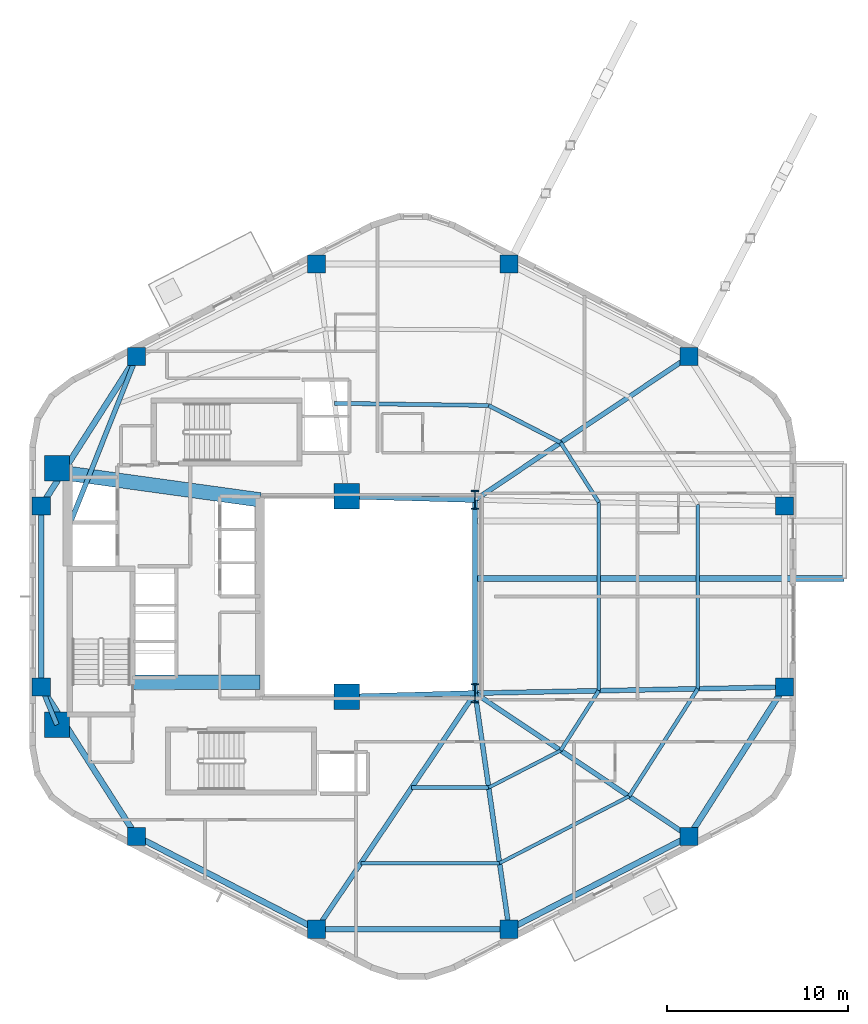
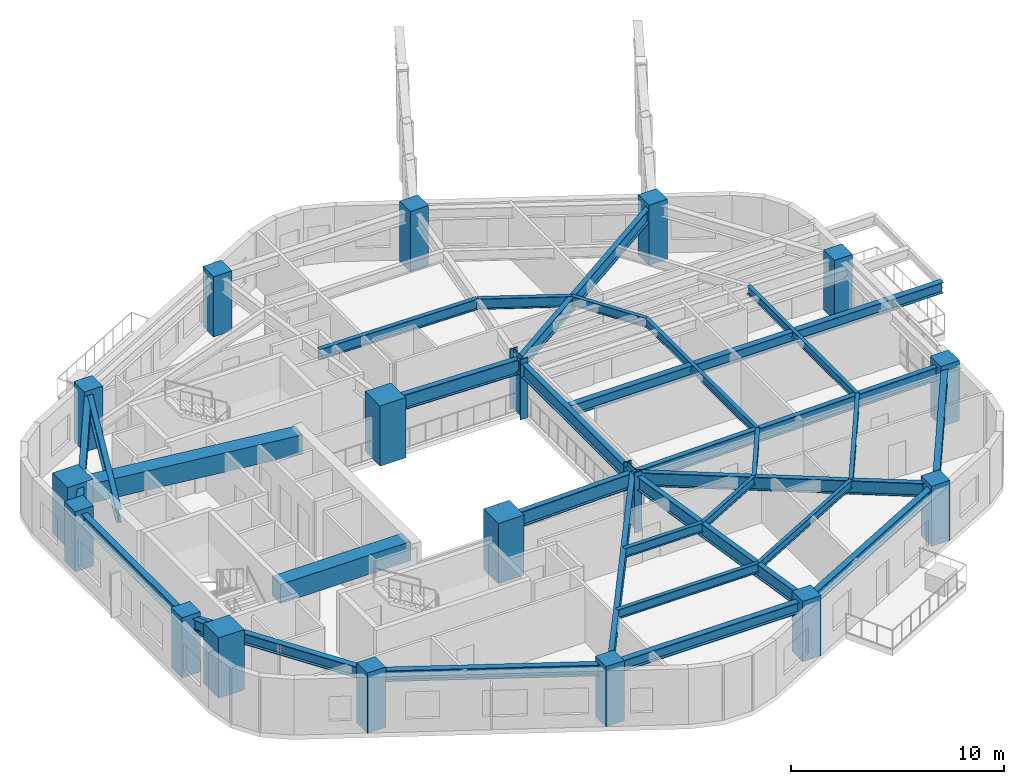
# One storey, part 1 of 10: 31 beams, 18 columns.
"""IFC4 building model written with IfcOpenShell, lengths in metres."""

from ifc_helpers import new_model, si_unit, direction, frame, origin, origin_2d, place, context, subcontext, project, spatial, rectangle, i_section, extrude, material, material_profile, profile_set, type_object, element, save


model = new_model("IFC4")

# Units and contexts
model_context = context("Model", 3, precision=1e-05, world=origin(), true_north=direction((0.0, 1.0)))
body_context = subcontext(model_context, "Body", "Model", "MODEL_VIEW")
ifc_project = project(units=[si_unit("LENGTHUNIT", "METRE"), si_unit("AREAUNIT", "SQUARE_METRE"), si_unit("VOLUMEUNIT", "CUBIC_METRE"), si_unit("PLANEANGLEUNIT", "RADIAN"), si_unit("MASSUNIT", "GRAM", prefix="KILO"), si_unit("THERMODYNAMICTEMPERATUREUNIT", "KELVIN"), si_unit("POWERUNIT", "WATT")], contexts=[model_context])

# Site, building, storey
site_placement = place(None, origin())
site = spatial("IfcSite", under=ifc_project, at=site_placement, CompositionType="ELEMENT")
building_placement = place(site_placement, origin())
building = spatial("IfcBuilding", under=site, at=building_placement, Name="Skarre Station Tower", CompositionType="ELEMENT")
storey_placement = place(building_placement, frame((0.0, 0.0, 105.0)))
storey = spatial("IfcBuildingStorey", under=building, at=storey_placement, Name="L27", CompositionType="ELEMENT", Elevation=105.0)

# Columns
ifc_material_1 = material(Name="Concrete C60/75", Category="concrete")
ifc_material_profile_1 = material_profile(ifc_material_1, rectangle(XDim=1.0, YDim=1.0, at=origin_2d()), Name="Concrete C60/75")
ifc_profile_set_1 = profile_set([ifc_material_profile_1], Name="Concrete C60/75")
column_type_1 = type_object("IfcColumnType", Name="RC Structural Column RC-COL-1000X1000", PredefinedType="COLUMN", material=ifc_profile_set_1)
for number, where, z_axis, x_axis, name in (
    (1, (51.291015625, 37.277099609375, 0.0), (0.0, 0.0, 1.0), (1.0, 0.0, 0.0), "L27 Zone 2 Perimeter Column F0C1"),
    (2, (41.3310546875, 42.41796875, 0.0), (0.0, 0.0, 1.0), (1.0, 0.0, 0.0), "L27 Zone 2 Perimeter Column F0C2"),
    (3, (30.6689453125, 42.41796875, 0.0), (0.0, 0.0, 1.0), (1.0, 0.0, 0.0), "L27 Zone 2 Perimeter Column F1C1"),
    (4, (20.708984375, 37.277099609375, 0.0), (0.0, 0.0, 1.0), (1.0, 0.0, 0.0), "L27 Zone 2 Perimeter Column F1C2"),
    (5, (15.431884765625, 29.010986328125, 0.0), (0.0, 0.0, 1.0), (1.0, 0.0, 0.0), "L27 Zone 2 Perimeter Column F2C1"),
    (6, (15.431884765625, 18.989013671875, 0.0), (0.0, 0.0, 1.0), (1.0, 0.0, 0.0), "L27 Zone 2 Perimeter Column F2C2"),
    (7, (20.708984375, 10.722900390625, 0.0), (0.0, 0.0, 1.0), (1.0, 0.0, 0.0), "L27 Zone 2 Perimeter Column F3C1"),
    (8, (30.6689453125, 5.58203125, 0.0), (0.0, 0.0, 1.0), (1.0, 0.0, 0.0), "L27 Zone 2 Perimeter Column F3C2"),
    (9, (41.3310546875, 5.58203125, 0.0), (0.0, 0.0, 1.0), (1.0, 0.0, 0.0), "L27 Zone 2 Perimeter Column F4C1"),
    (10, (51.291015625, 10.722900390625, 0.0), (0.0, 0.0, 1.0), (1.0, 0.0, 0.0), "L27 Zone 2 Perimeter Column F4C2"),
    (11, (56.568115234375, 18.989013671875, 0.0), (0.0, 0.0, 1.0), (1.0, 0.0, 0.0), "L27 Zone 2 Perimeter Column F5C1"),
    (12, (56.568115234375, 29.010986328125, 0.0), (0.0, 0.0, 1.0), (1.0, 0.0, 0.0), "L27 Zone 2 Perimeter Column F5C2"),
):
    element("IfcColumn", number, at=place(storey_placement, frame(where, z_axis=z_axis, x_axis=x_axis)), inside=storey, type_object=column_type_1, Name=name, PredefinedType="COLUMN", context=body_context, shape_type="SweptSolid", body=[
        extrude(rectangle(XDim=1.0, YDim=1.0, at=origin_2d()), origin(), (0.0, 0.0, 1.0), 3.449951171875),
    ])
ifc_material_2 = material(Name="Concrete C70/85", Category="concrete")
ifc_material_profile_2 = material_profile(ifc_material_2, rectangle(XDim=1.39990234375, YDim=1.39990234375, at=origin_2d()), Name="Concrete C70/85")
ifc_profile_set_2 = profile_set([ifc_material_profile_2], Name="Concrete C70/85")
column_type_2 = type_object("IfcColumnType", Name="RC Structural Column RC-COL-1400X1400", PredefinedType="COLUMN", material=ifc_profile_set_2)
for number, where, z_axis, x_axis, name in (
    (13, (16.300048828125, 16.89990234375, 0.0), (0.0, 0.0, 1.0), (1.0, 0.0, 0.0), "L27 Core Column CC-SW"),
    (14, (16.300048828125, 31.10009765625, 0.0), (0.0, 0.0, 1.0), (1.0, 0.0, 0.0), "L27 Core Column CC-NW"),
    (15, (32.35009765625, 18.449951171875, 0.0), (0.0, 0.0, 1.0), (1.0, 0.0, 0.0), "L27 Core Column CC-SE"),
    (16, (32.35009765625, 29.550048828125, 0.0), (0.0, 0.0, 1.0), (1.0, 0.0, 0.0), "L27 Core Column CC-NE"),
):
    element("IfcColumn", number, at=place(storey_placement, frame(where, z_axis=z_axis, x_axis=x_axis)), inside=storey, type_object=column_type_2, Name=name, PredefinedType="COLUMN", context=body_context, shape_type="SweptSolid", body=[
        extrude(rectangle(XDim=1.39990234375, YDim=1.39990234375, at=origin_2d()), origin(), (0.0, 0.0, 1.0), 3.449951171875),
    ])
ifc_material_3 = material(Name="Steel ASTM A913 Grade 65", Category="steel")
ifc_material_profile_3 = material_profile(ifc_material_3, i_section(OverallWidth=0.409912109375, OverallDepth=1.041015625, WebThickness=0.031005859375, FlangeThickness=0.055908203125, at=origin_2d()), Name="Steel ASTM A913 Grade 65")
ifc_profile_set_3 = profile_set([ifc_material_profile_3], Name="Steel ASTM A913 Grade 65")
column_type_3 = type_object("IfcColumnType", Name="Steel Column W40X397", PredefinedType="COLUMN", material=ifc_profile_set_3)
for number, where, z_axis, x_axis, name in (
    (17, (39.449951171875, 18.64990234375, 0.0), (0.0, 0.0, 1.0), (1.0, 0.0, 0.0), "L27 Atrium Spine Column AC-SE"),
    (18, (39.449951171875, 29.35009765625, 0.0), (0.0, 0.0, 1.0), (1.0, 0.0, 0.0), "L27 Atrium Spine Column AC-NE"),
):
    element("IfcColumn", number, at=place(storey_placement, frame(where, z_axis=z_axis, x_axis=x_axis)), inside=storey, type_object=column_type_3, Name=name, PredefinedType="COLUMN", context=body_context, shape_type="SweptSolid", body=[
        extrude(i_section(OverallWidth=0.409912109375, OverallDepth=1.041015625, WebThickness=0.031005859375, FlangeThickness=0.055908203125, at=origin_2d()), origin(), (0.0, 0.0, 1.0), 3.449951171875),
    ])

# Beams
ifc_material_profile_4 = material_profile(ifc_material_2, rectangle(XDim=0.800048828125, YDim=1.10009765625, at=origin_2d()), Name="Concrete C70/85")
ifc_profile_set_4 = profile_set([ifc_material_profile_4], Name="Concrete C70/85")
beam_type_1 = type_object("IfcBeamType", Name="RC Core Coupling Lintel 800x1100", PredefinedType="LINTEL", material=ifc_profile_set_4)
beam_1_placement = place(storey_placement, frame((20.489990234375, 19.260009765625, 2.639892578125), z_axis=(1.0, 0.0, 0.0), x_axis=(0.0, 1.0, 0.0)))
element("IfcBeam", 19, at=beam_1_placement, inside=storey, type_object=beam_type_1, Name="L27 South Core Coupling Lintel", PredefinedType="LINTEL", context=body_context, shape_type="SweptSolid", body=[
    extrude(rectangle(XDim=0.800048828125, YDim=1.10009765625, at=origin_2d()), origin(), (0.0, 0.0, 1.0), 7.06005859375),
])
beam_2_placement = place(storey_placement, frame((17.050048828125, 30.800048828125, 2.639892578125), z_axis=(0.990599723633, -0.136792498109, 0.0), x_axis=(0.136792498109, 0.990599723633, 0.0)))
element("IfcBeam", 20, at=beam_2_placement, inside=storey, type_object=beam_type_1, Name="L27 North Core Coupling Lintel", PredefinedType="LINTEL", context=body_context, shape_type="SweptSolid", body=[
    extrude(rectangle(XDim=0.800048828125, YDim=1.10009765625, at=origin_2d()), origin(), (0.0, 0.0, 1.0), 10.599609375),
])
ifc_material_4 = material(Name="Steel ASTM A992 Grade 50", Category="steel")
ifc_material_profile_5 = material_profile(ifc_material_4, i_section(OverallWidth=0.323974609375, OverallDepth=0.611083984375, WebThickness=0.012939453125, FlangeThickness=0.01904296875, at=origin_2d()), Name="Steel ASTM A992 Grade 50")
ifc_profile_set_5 = profile_set([ifc_material_profile_5], Name="Steel ASTM A992 Grade 50")
beam_type_2 = type_object("IfcBeamType", Name="Steel Beam W24X104", PredefinedType="BEAM", material=ifc_profile_set_5)
beam_3_placement = place(storey_placement, frame((39.449951171875, 25.001953125, 2.779052734375), z_axis=(1.0, 0.0, 0.0), x_axis=(0.0, 1.0, 0.0)))
element("IfcBeam", 21, at=beam_3_placement, inside=storey, type_object=beam_type_2, Name="L27 SG-1-L28 Outrigger Beam 2", PredefinedType="BEAM", context=body_context, shape_type="SweptSolid", body=[
    extrude(i_section(OverallWidth=0.323974609375, OverallDepth=0.611083984375, WebThickness=0.012939453125, FlangeThickness=0.01904296875, at=origin_2d()), origin(), (0.0, 0.0, 1.0), 20.427978515625),
])
ifc_material_profile_6 = material_profile(ifc_material_4, i_section(OverallWidth=0.26806640625, OverallDepth=0.77001953125, WebThickness=0.01611328125, FlangeThickness=0.02490234375, at=origin_2d()), Name="Steel ASTM A992 Grade 50")
ifc_profile_set_6 = profile_set([ifc_material_profile_6], Name="Steel ASTM A992 Grade 50")
beam_type_3 = type_object("IfcBeamType", Name="Steel Beam W30X132", PredefinedType="BEAM", material=ifc_profile_set_6)
beam_4_placement = place(storey_placement, frame((39.449951171875, 18.64990234375, 2.804931640625), z_axis=(0.0, 1.0, 0.0), x_axis=(-1.0, 0.0, 0.0)))
element("IfcBeam", 22, at=beam_4_placement, inside=storey, type_object=beam_type_3, Name="L27 Atrium East Edge Girder", PredefinedType="BEAM", context=body_context, shape_type="SweptSolid", body=[
    extrude(i_section(OverallWidth=0.26806640625, OverallDepth=0.77001953125, WebThickness=0.01611328125, FlangeThickness=0.02490234375, at=origin_2d()), origin(), (0.0, 0.0, 1.0), 10.7001953125),
])
beam_5_placement = place(storey_placement, frame((39.449951171875, 29.35009765625, 2.804931640625), z_axis=(0.830981218317, 0.556300471692, 0.0), x_axis=(-0.556300471692, 0.830981218317, 0.0)))
element("IfcBeam", 23, at=beam_5_placement, inside=storey, type_object=beam_type_3, Name="L27 Radial Floor Girder F0C1", PredefinedType="BEAM", context=body_context, shape_type="SweptSolid", body=[
    extrude(i_section(OverallWidth=0.26806640625, OverallDepth=0.77001953125, WebThickness=0.01611328125, FlangeThickness=0.02490234375, at=origin_2d()), origin(), (0.0, 0.0, 1.0), 14.24951171875),
])
beam_6_placement = place(storey_placement, frame((17.010009765625, 28.0, 2.804931640625), z_axis=(0.370366288946, 0.928885790618, 0.0), x_axis=(-0.928885790618, 0.370366288946, 0.0)))
element("IfcBeam", 24, at=beam_6_placement, inside=storey, type_object=beam_type_3, Name="L27 Radial Floor Girder F1C2", PredefinedType="BEAM", context=body_context, shape_type="SweptSolid", body=[
    extrude(i_section(OverallWidth=0.26806640625, OverallDepth=0.77001953125, WebThickness=0.01611328125, FlangeThickness=0.02490234375, at=origin_2d()), origin(), (0.0, 0.0, 1.0), 9.9873046875),
])
beam_7_placement = place(storey_placement, frame((16.300048828125, 16.89990234375, 2.804931640625), z_axis=(-0.383749333092, 0.923437301256, 0.0), x_axis=(-0.923437301256, -0.383749333092, 0.0)))
element("IfcBeam", 25, at=beam_7_placement, inside=storey, type_object=beam_type_3, Name="L27 Radial Floor Girder F2C2", PredefinedType="BEAM", context=body_context, shape_type="SweptSolid", body=[
    extrude(i_section(OverallWidth=0.26806640625, OverallDepth=0.77001953125, WebThickness=0.01611328125, FlangeThickness=0.02490234375, at=origin_2d()), origin(), (0.0, 0.0, 1.0), 2.26220703125),
])
beam_8_placement = place(storey_placement, frame((39.449951171875, 18.64990234375, 2.804931640625), z_axis=(-0.55773464691, -0.830019315219, 0.0), x_axis=(0.830019315219, -0.55773464691, 0.0)))
element("IfcBeam", 26, at=beam_8_placement, inside=storey, type_object=beam_type_3, Name="L27 Radial Floor Girder F3C2", PredefinedType="BEAM", context=body_context, shape_type="SweptSolid", body=[
    extrude(i_section(OverallWidth=0.26806640625, OverallDepth=0.77001953125, WebThickness=0.01611328125, FlangeThickness=0.02490234375, at=origin_2d()), origin(), (0.0, 0.0, 1.0), 15.744140625),
])
beam_9_placement = place(storey_placement, frame((39.449951171875, 18.64990234375, 2.804931640625), z_axis=(0.142480121776, -0.989797663616, 0.0), x_axis=(0.989797663616, 0.142480121776, 0.0)))
element("IfcBeam", 27, at=beam_9_placement, inside=storey, type_object=beam_type_3, Name="L27 Radial Floor Girder F4C1", PredefinedType="BEAM", context=body_context, shape_type="SweptSolid", body=[
    extrude(i_section(OverallWidth=0.26806640625, OverallDepth=0.77001953125, WebThickness=0.01611328125, FlangeThickness=0.02490234375, at=origin_2d()), origin(), (0.0, 0.0, 1.0), 13.20263671875),
])
beam_10_placement = place(storey_placement, frame((39.449951171875, 18.64990234375, 2.804931640625), z_axis=(0.830981218317, -0.556300471692, 0.0), x_axis=(0.556300471692, 0.830981218317, 0.0)))
element("IfcBeam", 28, at=beam_10_placement, inside=storey, type_object=beam_type_3, Name="L27 Radial Floor Girder F4C2", PredefinedType="BEAM", context=body_context, shape_type="SweptSolid", body=[
    extrude(i_section(OverallWidth=0.26806640625, OverallDepth=0.77001953125, WebThickness=0.01611328125, FlangeThickness=0.02490234375, at=origin_2d()), origin(), (0.0, 0.0, 1.0), 14.24951171875),
])
beam_11_placement = place(storey_placement, frame((39.449951171875, 18.64990234375, 2.804931640625), z_axis=(0.999803839107, 0.019806143142, 0.0), x_axis=(-0.019806143142, 0.999803839107, 0.0)))
element("IfcBeam", 29, at=beam_11_placement, inside=storey, type_object=beam_type_3, Name="L27 Radial Floor Girder F5C1", PredefinedType="BEAM", context=body_context, shape_type="SweptSolid", body=[
    extrude(i_section(OverallWidth=0.26806640625, OverallDepth=0.77001953125, WebThickness=0.01611328125, FlangeThickness=0.02490234375, at=origin_2d()), origin(), (0.0, 0.0, 1.0), 17.12158203125),
])
ifc_material_profile_7 = material_profile(ifc_material_4, i_section(OverallWidth=0.2919921875, OverallDepth=0.85888671875, WebThickness=0.01708984375, FlangeThickness=0.031005859375, at=origin_2d()), Name="Steel ASTM A992 Grade 50")
ifc_profile_set_7 = profile_set([ifc_material_profile_7], Name="Steel ASTM A992 Grade 50")
beam_type_4 = type_object("IfcBeamType", Name="Steel Beam W33X169", PredefinedType="BEAM", material=ifc_profile_set_7)
for number, where, z_axis, x_axis, name in (
    (30, (32.35009765625, 18.449951171875, 2.760009765625), (0.999603666405, 0.028151556095, 0.0), (-0.028151556095, 0.999603666405, 0.0), "L27 Atrium South Edge Girder"),
    (31, (32.35009765625, 29.550048828125, 2.760009765625), (0.999603666405, -0.028151556095, 0.0), (0.028151556095, 0.999603666405, 0.0), "L27 Atrium North Edge Girder"),
):
    element("IfcBeam", number, at=place(storey_placement, frame(where, z_axis=z_axis, x_axis=x_axis)), inside=storey, type_object=beam_type_4, Name=name, PredefinedType="BEAM", context=body_context, shape_type="SweptSolid", body=[
        extrude(i_section(OverallWidth=0.2919921875, OverallDepth=0.85888671875, WebThickness=0.01708984375, FlangeThickness=0.031005859375, at=origin_2d()), origin(), (0.0, 0.0, 1.0), 7.102783203125),
    ])
ifc_material_profile_8 = material_profile(ifc_material_4, i_section(OverallWidth=0.19091796875, OverallDepth=0.45703125, WebThickness=0.009033203125, FlangeThickness=0.013916015625, at=origin_2d()), Name="Steel ASTM A992 Grade 50")
ifc_profile_set_8 = profile_set([ifc_material_profile_8], Name="Steel ASTM A992 Grade 50")
beam_type_5 = type_object("IfcBeamType", Name="Steel Joist W18X50", PredefinedType="JOIST", material=ifc_profile_set_8)
beam_12_placement = place(storey_placement, frame((40.201904296875, 13.423095703125, 2.9619140625), z_axis=(0.888658598325, 0.458569401097, 0.0), x_axis=(-0.458569401097, 0.888658598325, 0.0)))
element("IfcBeam", 32, at=beam_12_placement, inside=storey, type_object=beam_type_5, Name="L27 Auxiliary Composite Joist 9", PredefinedType="JOIST", context=body_context, shape_type="SweptSolid", body=[
    extrude(i_section(OverallWidth=0.19091796875, OverallDepth=0.45703125, WebThickness=0.009033203125, FlangeThickness=0.013916015625, at=origin_2d()), origin(), (0.0, 0.0, 1.0), 4.4833984375),
])
beam_13_placement = place(storey_placement, frame((40.803955078125, 9.240966796875, 2.9619140625), z_axis=(0.888599977053, 0.458682985057, 0.0), x_axis=(-0.458682985057, 0.888599977053, 0.0)))
element("IfcBeam", 33, at=beam_13_placement, inside=storey, type_object=beam_type_5, Name="L27 Auxiliary Composite Joist 10", PredefinedType="JOIST", context=body_context, shape_type="SweptSolid", body=[
    extrude(i_section(OverallWidth=0.19091796875, OverallDepth=0.45703125, WebThickness=0.009033203125, FlangeThickness=0.013916015625, at=origin_2d()), origin(), (0.0, 0.0, 1.0), 8.0712890625),
])
beam_14_placement = place(storey_placement, frame((46.297119140625, 18.785888671875, 2.9619140625), z_axis=(0.0, 1.0, 0.0), x_axis=(-1.0, 0.0, 0.0)))
element("IfcBeam", 34, at=beam_14_placement, inside=storey, type_object=beam_type_5, Name="L27 Auxiliary Composite Joist 13", PredefinedType="JOIST", context=body_context, shape_type="SweptSolid", body=[
    extrude(i_section(OverallWidth=0.19091796875, OverallDepth=0.45703125, WebThickness=0.009033203125, FlangeThickness=0.013916015625, at=origin_2d()), origin(), (0.0, 0.0, 1.0), 10.42822265625),
])
beam_15_placement = place(storey_placement, frame((51.77490234375, 18.89404296875, 2.9619140625), z_axis=(0.0, 1.0, 0.0), x_axis=(-1.0, 0.0, 0.0)))
element("IfcBeam", 35, at=beam_15_placement, inside=storey, type_object=beam_type_5, Name="L27 Auxiliary Composite Joist 14", PredefinedType="JOIST", context=body_context, shape_type="SweptSolid", body=[
    extrude(i_section(OverallWidth=0.19091796875, OverallDepth=0.45703125, WebThickness=0.009033203125, FlangeThickness=0.013916015625, at=origin_2d()), origin(), (0.0, 0.0, 1.0), 10.2119140625),
])
ifc_material_profile_9 = material_profile(ifc_material_4, i_section(OverallWidth=0.208984375, OverallDepth=0.532958984375, WebThickness=0.010009765625, FlangeThickness=0.01611328125, at=origin_2d()), Name="Steel ASTM A992 Grade 50")
ifc_profile_set_9 = profile_set([ifc_material_profile_9], Name="Steel ASTM A992 Grade 50")
beam_type_6 = type_object("IfcBeamType", Name="Steel Joist W21X62", PredefinedType="JOIST", material=ifc_profile_set_9)
beam_16_placement = place(storey_placement, frame((35.93798828125, 13.423095703125, 2.924072265625), z_axis=(1.0, 0.0, 0.0), x_axis=(0.0, 1.0, 0.0)))
element("IfcBeam", 36, at=beam_16_placement, inside=storey, type_object=beam_type_6, Name="L27 Auxiliary Composite Joist 7", PredefinedType="JOIST", context=body_context, shape_type="SweptSolid", body=[
    extrude(i_section(OverallWidth=0.208984375, OverallDepth=0.532958984375, WebThickness=0.010009765625, FlangeThickness=0.01611328125, at=origin_2d()), origin(), (0.0, 0.0, 1.0), 4.263916015625),
])
beam_17_placement = place(storey_placement, frame((33.1279296875, 9.240966796875, 2.924072265625), z_axis=(1.0, 0.0, 0.0), x_axis=(0.0, 1.0, 0.0)))
element("IfcBeam", 37, at=beam_17_placement, inside=storey, type_object=beam_type_6, Name="L27 Auxiliary Composite Joist 8", PredefinedType="JOIST", context=body_context, shape_type="SweptSolid", body=[
    extrude(i_section(OverallWidth=0.208984375, OverallDepth=0.532958984375, WebThickness=0.010009765625, FlangeThickness=0.01611328125, at=origin_2d()), origin(), (0.0, 0.0, 1.0), 7.676025390625),
])
beam_18_placement = place(storey_placement, frame((44.18603515625, 15.47900390625, 2.924072265625), z_axis=(0.538090955129, 0.842886780065, 0.0), x_axis=(-0.842886780065, 0.538090955129, 0.0)))
element("IfcBeam", 38, at=beam_18_placement, inside=storey, type_object=beam_type_6, Name="L27 Auxiliary Composite Joist 11", PredefinedType="JOIST", context=body_context, shape_type="SweptSolid", body=[
    extrude(i_section(OverallWidth=0.208984375, OverallDepth=0.532958984375, WebThickness=0.010009765625, FlangeThickness=0.01611328125, at=origin_2d()), origin(), (0.0, 0.0, 1.0), 3.92333984375),
])
beam_19_placement = place(storey_placement, frame((47.97607421875, 12.943115234375, 2.924072265625), z_axis=(0.538072046089, 0.842898851119, 0.0), x_axis=(-0.842898851119, 0.538072046089, 0.0)))
element("IfcBeam", 39, at=beam_19_placement, inside=storey, type_object=beam_type_6, Name="L27 Auxiliary Composite Joist 12", PredefinedType="JOIST", context=body_context, shape_type="SweptSolid", body=[
    extrude(i_section(OverallWidth=0.208984375, OverallDepth=0.532958984375, WebThickness=0.010009765625, FlangeThickness=0.01611328125, at=origin_2d()), origin(), (0.0, 0.0, 1.0), 7.06005859375),
])
beam_20_placement = place(storey_placement, frame((46.297119140625, 29.214111328125, 2.924072265625), z_axis=(-0.538090955129, 0.842886780065, 0.0), x_axis=(-0.842886780065, -0.538090955129, 0.0)))
element("IfcBeam", 40, at=beam_20_placement, inside=storey, type_object=beam_type_6, Name="L27 Auxiliary Composite Joist 15", PredefinedType="JOIST", context=body_context, shape_type="SweptSolid", body=[
    extrude(i_section(OverallWidth=0.208984375, OverallDepth=0.532958984375, WebThickness=0.010009765625, FlangeThickness=0.01611328125, at=origin_2d()), origin(), (0.0, 0.0, 1.0), 3.92333984375),
])
ifc_material_profile_10 = material_profile(ifc_material_4, i_section(OverallWidth=0.22802734375, OverallDepth=0.60791015625, WebThickness=0.010986328125, FlangeThickness=0.01708984375, at=origin_2d()), Name="Steel ASTM A992 Grade 50")
ifc_profile_set_10 = profile_set([ifc_material_profile_10], Name="Steel ASTM A992 Grade 50")
beam_type_7 = type_object("IfcBeamType", Name="Steel Joist W24X76", PredefinedType="JOIST", material=ifc_profile_set_10)
beam_21_placement = place(storey_placement, frame((44.18603515625, 32.52099609375, 2.885986328125), z_axis=(-0.888658598325, 0.458569401097, 0.0), x_axis=(-0.458569401097, -0.888658598325, 0.0)))
element("IfcBeam", 41, at=beam_21_placement, inside=storey, type_object=beam_type_7, Name="L27 Secondary Floor Joist 1", PredefinedType="JOIST", context=body_context, shape_type="SweptSolid", body=[
    extrude(i_section(OverallWidth=0.22802734375, OverallDepth=0.60791015625, WebThickness=0.010986328125, FlangeThickness=0.01708984375, at=origin_2d()), origin(), (0.0, 0.0, 1.0), 4.4833984375),
])
beam_22_placement = place(storey_placement, frame((40.201904296875, 34.576904296875, 2.885986328125), z_axis=(-0.999900725817, 0.014090369396, 0.0), x_axis=(-0.014090369396, -0.999900725817, 0.0)))
element("IfcBeam", 42, at=beam_22_placement, inside=storey, type_object=beam_type_7, Name="L27 Secondary Floor Joist 3", PredefinedType="JOIST", context=body_context, shape_type="SweptSolid", body=[
    extrude(i_section(OverallWidth=0.22802734375, OverallDepth=0.60791015625, WebThickness=0.010986328125, FlangeThickness=0.01708984375, at=origin_2d()), origin(), (0.0, 0.0, 1.0), 8.524658203125),
])
ifc_material_profile_11 = material_profile(ifc_material_4, i_section(OverallWidth=0.327880859375, OverallDepth=0.6279296875, WebThickness=0.01708984375, FlangeThickness=0.028076171875, at=origin_2d()), Name="Steel ASTM A992 Grade 50")
ifc_profile_set_11 = profile_set([ifc_material_profile_11], Name="Steel ASTM A992 Grade 50")
beam_type_8 = type_object("IfcBeamType", Name="Steel Spandrel W24X146", PredefinedType="SPANDREL", material=ifc_profile_set_11)
beam_23_placement = place(storey_placement, frame((20.708984375, 37.277099609375, 2.8759765625), z_axis=(-0.538097547923, -0.842882571251, 0.0), x_axis=(0.842882571251, -0.538097547923, 0.0)))
element("IfcBeam", 43, at=beam_23_placement, inside=storey, type_object=beam_type_8, Name="L27 Facet Spandrel Beam 4", PredefinedType="SPANDREL", context=body_context, shape_type="SweptSolid", body=[
    extrude(i_section(OverallWidth=0.327880859375, OverallDepth=0.6279296875, WebThickness=0.01708984375, FlangeThickness=0.028076171875, at=origin_2d()), origin(), (0.0, 0.0, 1.0), 9.806884765625),
])
beam_24_placement = place(storey_placement, frame((15.431884765625, 29.010986328125, 2.8759765625), z_axis=(0.0, -1.0, 0.0), x_axis=(1.0, 0.0, 0.0)))
element("IfcBeam", 44, at=beam_24_placement, inside=storey, type_object=beam_type_8, Name="L27 Facet Spandrel Beam 5", PredefinedType="SPANDREL", context=body_context, shape_type="SweptSolid", body=[
    extrude(i_section(OverallWidth=0.327880859375, OverallDepth=0.6279296875, WebThickness=0.01708984375, FlangeThickness=0.028076171875, at=origin_2d()), origin(), (0.0, 0.0, 1.0), 10.02197265625),
])
beam_25_placement = place(storey_placement, frame((15.431884765625, 18.989013671875, 2.8759765625), z_axis=(0.538097547923, -0.842882571251, 0.0), x_axis=(0.842882571251, 0.538097547923, 0.0)))
element("IfcBeam", 45, at=beam_25_placement, inside=storey, type_object=beam_type_8, Name="L27 Facet Spandrel Beam 6", PredefinedType="SPANDREL", context=body_context, shape_type="SweptSolid", body=[
    extrude(i_section(OverallWidth=0.327880859375, OverallDepth=0.6279296875, WebThickness=0.01708984375, FlangeThickness=0.028076171875, at=origin_2d()), origin(), (0.0, 0.0, 1.0), 9.806884765625),
])
beam_26_placement = place(storey_placement, frame((20.708984375, 10.722900390625, 2.8759765625), z_axis=(0.888611779493, -0.458660119639, 0.0), x_axis=(0.458660119639, 0.888611779493, 0.0)))
element("IfcBeam", 46, at=beam_26_placement, inside=storey, type_object=beam_type_8, Name="L27 Facet Spandrel Beam 7", PredefinedType="SPANDREL", context=body_context, shape_type="SweptSolid", body=[
    extrude(i_section(OverallWidth=0.327880859375, OverallDepth=0.6279296875, WebThickness=0.01708984375, FlangeThickness=0.028076171875, at=origin_2d()), origin(), (0.0, 0.0, 1.0), 11.20849609375),
])
beam_27_placement = place(storey_placement, frame((30.6689453125, 5.58203125, 2.8759765625), z_axis=(1.0, 0.0, 0.0), x_axis=(0.0, 1.0, 0.0)))
element("IfcBeam", 47, at=beam_27_placement, inside=storey, type_object=beam_type_8, Name="L27 Facet Spandrel Beam 8", PredefinedType="SPANDREL", context=body_context, shape_type="SweptSolid", body=[
    extrude(i_section(OverallWidth=0.327880859375, OverallDepth=0.6279296875, WebThickness=0.01708984375, FlangeThickness=0.028076171875, at=origin_2d()), origin(), (0.0, 0.0, 1.0), 10.662109375),
])
beam_28_placement = place(storey_placement, frame((41.3310546875, 5.58203125, 2.8759765625), z_axis=(0.888611779493, 0.458660119639, 0.0), x_axis=(-0.458660119639, 0.888611779493, 0.0)))
element("IfcBeam", 48, at=beam_28_placement, inside=storey, type_object=beam_type_8, Name="L27 Facet Spandrel Beam 9", PredefinedType="SPANDREL", context=body_context, shape_type="SweptSolid", body=[
    extrude(i_section(OverallWidth=0.327880859375, OverallDepth=0.6279296875, WebThickness=0.01708984375, FlangeThickness=0.028076171875, at=origin_2d()), origin(), (0.0, 0.0, 1.0), 11.20849609375),
])
beam_29_placement = place(storey_placement, frame((51.291015625, 10.722900390625, 2.8759765625), z_axis=(0.538097547923, 0.842882571251, 0.0), x_axis=(-0.842882571251, 0.538097547923, 0.0)))
element("IfcBeam", 49, at=beam_29_placement, inside=storey, type_object=beam_type_8, Name="L27 Facet Spandrel Beam 10", PredefinedType="SPANDREL", context=body_context, shape_type="SweptSolid", body=[
    extrude(i_section(OverallWidth=0.327880859375, OverallDepth=0.6279296875, WebThickness=0.01708984375, FlangeThickness=0.028076171875, at=origin_2d()), origin(), (0.0, 0.0, 1.0), 9.806884765625),
])

save(model, "model.ifc")
